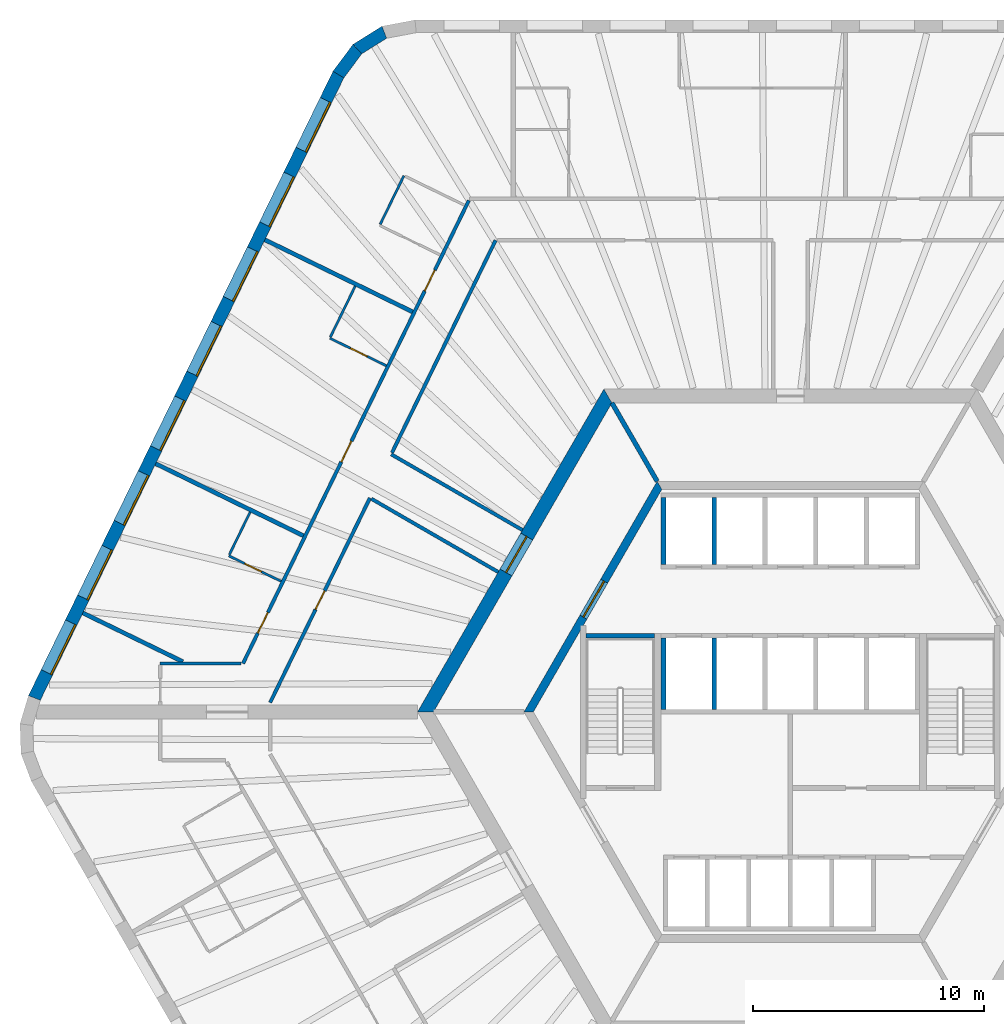
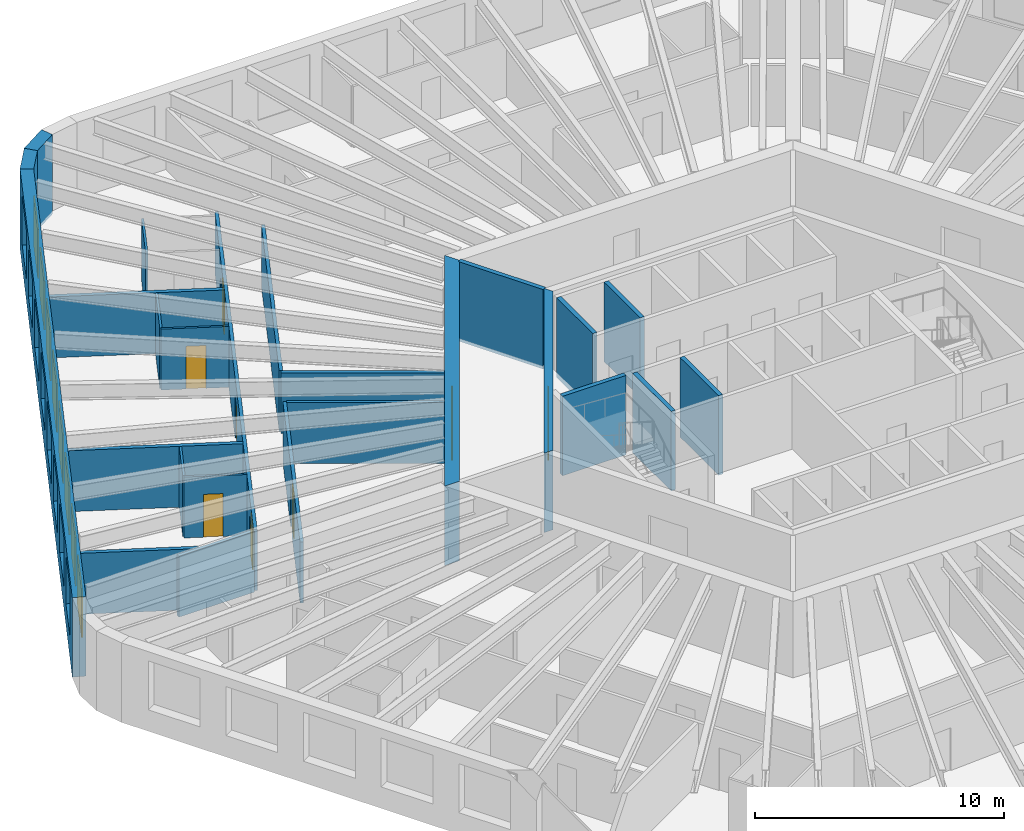
# One storey, part 7 of 11: 25 walls, 8 doors, 8 windows, 16 openings.
"""IFC4 building model written with IfcOpenShell, lengths in metres."""

from ifc_helpers import new_model, si_unit, direction, frame, frame_2d, origin, place, context, subcontext, project, spatial, polyline, rectangle, outline, extrude, material, layer, layer_set, type_object, element, fill, save


model = new_model("IFC4")

# Units and contexts
model_context = context("Model", 3, precision=1e-05, world=origin(), true_north=direction((0.0, 1.0)))
body_context = subcontext(model_context, "Body", "Model", "MODEL_VIEW")
ifc_project = project(units=[si_unit("LENGTHUNIT", "METRE"), si_unit("AREAUNIT", "SQUARE_METRE"), si_unit("VOLUMEUNIT", "CUBIC_METRE"), si_unit("PLANEANGLEUNIT", "RADIAN"), si_unit("MASSUNIT", "GRAM", prefix="KILO")], contexts=[model_context])

# Site, building, storey
site_placement = place(None, origin())
site = spatial("IfcSite", under=ifc_project, at=site_placement, CompositionType="ELEMENT")
building_placement = place(site_placement, origin())
building = spatial("IfcBuilding", under=site, at=building_placement, Name="Tarnside Tower", CompositionType="ELEMENT")
storey_placement = place(building_placement, frame((0.0, 0.0, 103.800048828125)))
storey = spatial("IfcBuildingStorey", under=building, at=storey_placement, Name="L23", CompositionType="ELEMENT", Elevation=103.800048828125)

# Wall
ifc_material_1 = material(Name="Gypsum board partition on steel studs", Category="steel")
ifc_layer_1 = layer(ifc_material_1, 0.10009765625)
ifc_layer_set_1 = layer_set([ifc_layer_1], Name="Bathroom wall 100")
wall_type_1 = type_object("IfcWallType", Name="Bathroom wall 100", PredefinedType="PARTITIONING", material=ifc_layer_set_1)
wall_1_placement = place(storey_placement, frame((-17.783203125, 21.138427734375, 0.0), z_axis=(0.0, 0.0, 1.0), x_axis=(0.438339704034, 0.898809381275, 0.0)))
element("IfcWall", 1, at=wall_1_placement, inside=storey, type_object=wall_type_1, Name="Bathroom wall 07091", PredefinedType="PARTITIONING", context=body_context, shape_type="SweptSolid", body=[
    extrude(rectangle(XDim=2.349853515625, YDim=0.10009765625, at=frame_2d((1.1748046875, 0.0))), origin(), (0.0, 0.0, 1.0), 2.98779296875),
])

# Wall, opening, door
wall_2_placement = place(storey_placement, frame((-17.51806640625, 15.009521484375, 0.0), z_axis=(0.0, 0.0, 1.0), x_axis=(-0.898791692788, 0.43837597217, 0.0)))
wall_2 = element("IfcWall", 2, at=wall_2_placement, inside=storey, type_object=wall_type_1, Name="Bathroom wall 07095", PredefinedType="PARTITIONING", context=body_context, shape_type="SweptSolid", body=[
    extrude(rectangle(XDim=2.72509765625, YDim=0.10009765625, at=frame_2d((1.362548828125, 0.0))), origin(), (0.0, 0.0, 1.0), 2.98779296875),
])
opening_1_placement = place(wall_2_placement, frame((0.925048828125, 0.0, 0.0)))
opening_1 = element("IfcOpeningElement", 3, at=opening_1_placement, cuts=wall_2, Name="Opening D-B1", PredefinedType="OPENING", context=body_context, shape_type="SweptSolid", body=[
    extrude(rectangle(XDim=0.800048828125, YDim=2.10009765625, at=frame_2d((0.39990234375, 1.050048828125))), frame((0.0, 0.06005859375, 0.0), z_axis=(0.0, -1.0, 0.0), x_axis=(1.0, 0.0, 0.0)), (0.0, 0.0, 1.0), 0.1201171875),
])
ifc_material_2 = material(Name="Timber door leaf", Category="wood")
door_type_1 = type_object("IfcDoorType", Name="Bathroom door 800", OperationType="NOTDEFINED", PredefinedType="DOOR", material=ifc_material_2)
door_1_placement = place(opening_1_placement, origin())
door_1 = element("IfcDoor", 4, at=door_1_placement, inside=storey, type_object=door_type_1, Name="Bathroom door 07010", OperationType="SINGLE_SWING_RIGHT", OverallHeight=2.10009765625, OverallWidth=0.800048828125, PredefinedType="DOOR", context=body_context, shape_type="SweptSolid", body=[
    extrude(rectangle(XDim=0.800048828125, YDim=2.10009765625, at=frame_2d((0.39990234375, 1.050048828125))), frame((0.0, 0.02490234375, 0.0), z_axis=(0.0, -1.0, 0.0), x_axis=(1.0, 0.0, 0.0)), (0.0, 0.0, 1.0), 0.050048828125),
])
fill(opening_1, door_1)

# Wall
wall_3_placement = place(storey_placement, frame((-19.945556640625, 16.2490234375, 0.0), z_axis=(0.0, 0.0, 1.0), x_axis=(0.438419721753, 0.898770353082, 0.0)))
element("IfcWall", 5, at=wall_3_placement, inside=storey, type_object=wall_type_1, Name="Bathroom wall 07096", PredefinedType="PARTITIONING", context=body_context, shape_type="SweptSolid", body=[
    extrude(rectangle(XDim=2.460205078125, YDim=0.10009765625, at=frame_2d((1.22998046875, 0.0))), origin(), (0.0, 0.0, 1.0), 2.98779296875),
])

# Wall, opening, door
wall_4_placement = place(storey_placement, frame((-22.0771484375, 5.662109375, 0.0), z_axis=(0.0, 0.0, 1.0), x_axis=(-0.898792604152, 0.438374103617, 0.0)))
wall_4 = element("IfcWall", 6, at=wall_4_placement, inside=storey, type_object=wall_type_1, Name="Bathroom wall 07099", PredefinedType="PARTITIONING", context=body_context, shape_type="SweptSolid", body=[
    extrude(rectangle(XDim=2.525146484375, YDim=0.10009765625, at=frame_2d((1.2626953125, 0.0))), origin(), (0.0, 0.0, 1.0), 2.98779296875),
])
opening_2_placement = place(wall_4_placement, frame((0.955078125, 0.0, 0.0)))
opening_2 = element("IfcOpeningElement", 7, at=opening_2_placement, cuts=wall_4, Name="Opening D-B1", PredefinedType="OPENING", context=body_context, shape_type="SweptSolid", body=[
    extrude(rectangle(XDim=0.800048828125, YDim=2.10009765625, at=frame_2d((0.39990234375, 1.050048828125))), frame((0.0, 0.06005859375, 0.0), z_axis=(0.0, -1.0, 0.0), x_axis=(1.0, 0.0, 0.0)), (0.0, 0.0, 1.0), 0.1201171875),
])
door_2_placement = place(opening_2_placement, origin())
door_2 = element("IfcDoor", 8, at=door_2_placement, inside=storey, type_object=door_type_1, Name="Bathroom door 07012", OperationType="SINGLE_SWING_LEFT", OverallHeight=2.10009765625, OverallWidth=0.800048828125, PredefinedType="DOOR", context=body_context, shape_type="SweptSolid", body=[
    extrude(rectangle(XDim=0.800048828125, YDim=2.10009765625, at=frame_2d((0.39990234375, 1.050048828125))), frame((0.0, 0.02490234375, 0.0), z_axis=(0.0, -1.0, 0.0), x_axis=(1.0, 0.0, 0.0)), (0.0, 0.0, 1.0), 0.050048828125),
])
fill(opening_2, door_2)

# Wall
wall_5_placement = place(storey_placement, frame((-24.32470703125, 6.81396484375, 0.0), z_axis=(0.0, 0.0, 1.0), x_axis=(0.438374597956, 0.898792363044, 0.0)))
element("IfcWall", 9, at=wall_5_placement, inside=storey, type_object=wall_type_1, Name="Bathroom wall 07100", PredefinedType="PARTITIONING", context=body_context, shape_type="SweptSolid", body=[
    extrude(rectangle(XDim=2.06005859375, YDim=0.10009765625, at=frame_2d((1.030029296875, 0.0))), origin(), (0.0, 0.0, 1.0), 2.98779296875),
])

# Wall, opening, door
ifc_material_3 = material(Name="Concrete C50/60", Category="concrete")
ifc_layer_2 = layer(ifc_material_3, 0.35009765625)
ifc_layer_set_2 = layer_set([ifc_layer_2], Name="Core block wall 350 C50/60")
wall_type_2 = type_object("IfcWallType", Name="Core block wall 350 C50/60", PredefinedType="SHEAR", material=ifc_layer_set_2)
wall_6_placement = place(storey_placement, frame((-5.672607421875, 9.824951171875, -0.150146484375), z_axis=(0.0, 0.0, 1.0), x_axis=(-0.499995046907, -0.866028263435, 0.0)))
wall_6 = element("IfcWall", 10, at=wall_6_placement, inside=storey, type_object=wall_type_2, Name="L23 core block wall face 2", PredefinedType="SHEAR", context=body_context, shape_type="SweptSolid", body=[
    extrude(outline(polyline([(-0.10107421875, -0.175048828125), (11.44580078125, -0.175048828125), (11.24365234375, 0.175048828125), (0.10107421875, 0.175048828125), (-0.10107421875, -0.175048828125)])), origin(), (0.0, 0.0, 1.0), 3.900146484375),
])
opening_3_placement = place(wall_6_placement, frame((4.80126953125, 0.0, 0.14990234375)))
opening_3 = element("IfcOpeningElement", 11, at=opening_3_placement, cuts=wall_6, Name="Opening CD-LOB", PredefinedType="OPENING", context=body_context, shape_type="SweptSolid", body=[
    extrude(rectangle(XDim=1.800048828125, YDim=2.39990234375, at=frame_2d((0.89990234375, 1.199951171875))), frame((0.0, 0.18505859375, 0.0), z_axis=(0.0, -1.0, 0.0), x_axis=(1.0, 0.0, 0.0)), (0.0, 0.0, 1.0), 0.3701171875),
])
ifc_material_4 = material(Name="Steel fire door", Category="steel")
door_type_2 = type_object("IfcDoorType", Name="Lobby double door FD30S 1800x2400", OperationType="NOTDEFINED", PredefinedType="DOOR", material=ifc_material_4)
door_3_placement = place(opening_3_placement, origin())
door_3 = element("IfcDoor", 12, at=door_3_placement, inside=storey, type_object=door_type_2, Name="L23 lobby block door P1", OperationType="DOUBLE_DOOR_SINGLE_SWING", OverallHeight=2.39990234375, OverallWidth=1.800048828125, PredefinedType="DOOR", context=body_context, shape_type="SweptSolid", body=[
    extrude(rectangle(XDim=1.800048828125, YDim=2.39990234375, at=frame_2d((0.89990234375, 1.199951171875))), frame((0.0, 0.02490234375, 0.0), z_axis=(0.0, -1.0, 0.0), x_axis=(1.0, 0.0, 0.0)), (0.0, 0.0, 1.0), 0.050048828125),
])
fill(opening_3, door_3)

ifc_material_5 = material(Name="Concrete C80/95", Category="concrete")
ifc_layer_3 = layer(ifc_material_5, 0.60009765625)
ifc_layer_set_3 = layer_set([ifc_layer_3], Name="Core wall Z1 600 C80/95")
wall_type_3 = type_object("IfcWallType", Name="Core wall Z1 600 C80/95", PredefinedType="SHEAR", material=ifc_layer_set_3)
wall_7_placement = place(storey_placement, frame((-7.90966796875, 13.699951171875, -0.150146484375), z_axis=(0.0, 0.0, 1.0), x_axis=(-0.499999880136, -0.866025472988, 0.0)))
wall_7 = element("IfcWall", 13, at=wall_7_placement, inside=storey, type_object=wall_type_3, Name="L23 core wall face 2", PredefinedType="SHEAR", context=body_context, shape_type="SweptSolid", body=[
    extrude(outline(polyline([(-0.17333984375, -0.300048828125), (15.99267578125, -0.300048828125), (15.64599609375, 0.300048828125), (0.17333984375, 0.300048828125), (-0.17333984375, -0.300048828125)])), origin(), (0.0, 0.0, 1.0), 3.900146484375),
])
opening_4_placement = place(wall_7_placement, frame((7.03857421875, 0.0, 0.14990234375)))
opening_4 = element("IfcOpeningElement", 14, at=opening_4_placement, cuts=wall_7, Name="Opening CD-LOB", PredefinedType="OPENING", context=body_context, shape_type="SweptSolid", body=[
    extrude(rectangle(XDim=1.800048828125, YDim=2.39990234375, at=frame_2d((0.89990234375, 1.199951171875))), frame((0.0, 0.31005859375, 0.0), z_axis=(0.0, -1.0, 0.0), x_axis=(1.0, 0.0, 0.0)), (0.0, 0.0, 1.0), 0.6201171875),
])
door_4_placement = place(opening_4_placement, origin())
door_4 = element("IfcDoor", 15, at=door_4_placement, inside=storey, type_object=door_type_2, Name="L23 core door P1", OperationType="DOUBLE_DOOR_SINGLE_SWING", OverallHeight=2.39990234375, OverallWidth=1.800048828125, PredefinedType="DOOR", context=body_context, shape_type="SweptSolid", body=[
    extrude(rectangle(XDim=1.800048828125, YDim=2.39990234375, at=frame_2d((0.89990234375, 1.199951171875))), frame((0.0, 0.02490234375, 0.0), z_axis=(0.0, -1.0, 0.0), x_axis=(1.0, 0.0, 0.0)), (0.0, 0.0, 1.0), 0.050048828125),
])
fill(opening_4, door_4)

# Wall, openings, doors
ifc_layer_4 = layer(ifc_material_1, 0.14990234375)
ifc_layer_set_4 = layer_set([ifc_layer_4], Name="Corridor wall 150 EI 60")
wall_type_4 = type_object("IfcWallType", Name="Corridor wall 150 EI 60", PredefinedType="PARTITIONING", material=ifc_layer_set_4)
wall_8_placement = place(storey_placement, frame((-13.93994140625, 22.175048828125, 0.0), z_axis=(0.0, 0.0, 1.0), x_axis=(-0.438373022655, -0.898793131376, 0.0)))
wall_8 = element("IfcWall", 16, at=wall_8_placement, inside=storey, type_object=wall_type_4, Name="Corridor wall 07007", PredefinedType="PARTITIONING", context=body_context, shape_type="SweptSolid", body=[
    extrude(rectangle(XDim=22.33544921875, YDim=0.14990234375, at=frame_2d((11.167724609375, 0.0))), origin(), (0.0, 0.0, 1.0), 2.98779296875),
])
opening_5_placement = place(wall_8_placement, frame((3.36279296875, 0.0, 0.0)))
opening_5 = element("IfcOpeningElement", 17, at=opening_5_placement, cuts=wall_8, Name="Opening D-E1", PredefinedType="OPENING", context=body_context, shape_type="SweptSolid", body=[
    extrude(rectangle(XDim=1.0, YDim=2.10009765625, at=frame_2d((0.5, 1.050048828125))), frame((0.0, 0.0849609375, 0.0), z_axis=(0.0, -1.0, 0.0), x_axis=(1.0, 0.0, 0.0)), (0.0, 0.0, 1.0), 0.169921875),
])
opening_6_placement = place(wall_8_placement, frame((11.60888671875, 0.0, 0.0)))
opening_6 = element("IfcOpeningElement", 18, at=opening_6_placement, cuts=wall_8, Name="Opening D-E1", PredefinedType="OPENING", context=body_context, shape_type="SweptSolid", body=[
    extrude(rectangle(XDim=1.0, YDim=2.10009765625, at=frame_2d((0.5, 1.050048828125))), frame((0.0, 0.0849609375, 0.0), z_axis=(0.0, -1.0, 0.0), x_axis=(1.0, 0.0, 0.0)), (0.0, 0.0, 1.0), 0.169921875),
])
opening_7_placement = place(wall_8_placement, frame((19.8720703125, 0.0, 0.0)))
opening_7 = element("IfcOpeningElement", 19, at=opening_7_placement, cuts=wall_8, Name="Opening D-E1", PredefinedType="OPENING", context=body_context, shape_type="SweptSolid", body=[
    extrude(rectangle(XDim=1.0, YDim=2.10009765625, at=frame_2d((0.5, 1.050048828125))), frame((0.0, 0.0849609375, 0.0), z_axis=(0.0, -1.0, 0.0), x_axis=(1.0, 0.0, 0.0)), (0.0, 0.0, 1.0), 0.169921875),
])
door_type_3 = type_object("IfcDoorType", Name="Unit entrance door 1000 FD30S", OperationType="NOTDEFINED", PredefinedType="DOOR", material=ifc_material_2)
door_5_placement = place(opening_5_placement, origin())
door_5 = element("IfcDoor", 20, at=door_5_placement, inside=storey, type_object=door_type_3, Name="Unit door 07007", OperationType="SINGLE_SWING_LEFT", OverallHeight=2.10009765625, OverallWidth=1.0, PredefinedType="DOOR", context=body_context, shape_type="SweptSolid", body=[
    extrude(rectangle(XDim=1.0, YDim=2.10009765625, at=frame_2d((0.5, 1.050048828125))), frame((0.0, 0.02490234375, 0.0), z_axis=(0.0, -1.0, 0.0), x_axis=(1.0, 0.0, 0.0)), (0.0, 0.0, 1.0), 0.050048828125),
])
fill(opening_5, door_5)
door_6_placement = place(opening_6_placement, origin())
door_6 = element("IfcDoor", 21, at=door_6_placement, inside=storey, type_object=door_type_3, Name="Unit door 07009", OperationType="SINGLE_SWING_LEFT", OverallHeight=2.10009765625, OverallWidth=1.0, PredefinedType="DOOR", context=body_context, shape_type="SweptSolid", body=[
    extrude(rectangle(XDim=1.0, YDim=2.10009765625, at=frame_2d((0.5, 1.050048828125))), frame((0.0, 0.02490234375, 0.0), z_axis=(0.0, -1.0, 0.0), x_axis=(1.0, 0.0, 0.0)), (0.0, 0.0, 1.0), 0.050048828125),
])
fill(opening_6, door_6)
door_7_placement = place(opening_7_placement, origin())
door_7 = element("IfcDoor", 22, at=door_7_placement, inside=storey, type_object=door_type_3, Name="Unit door 07011", OperationType="SINGLE_SWING_RIGHT", OverallHeight=2.10009765625, OverallWidth=1.0, PredefinedType="DOOR", context=body_context, shape_type="SweptSolid", body=[
    extrude(rectangle(XDim=1.0, YDim=2.10009765625, at=frame_2d((0.5, 1.050048828125))), frame((0.0, 0.02490234375, 0.0), z_axis=(0.0, -1.0, 0.0), x_axis=(1.0, 0.0, 0.0)), (0.0, 0.0, 1.0), 0.050048828125),
])
fill(opening_7, door_7)

# Walls
wall_9_placement = place(storey_placement, frame((-23.814697265625, 2.10009765625, 0.0), z_axis=(0.0, 0.0, 1.0), x_axis=(-1.0, 0.0, 0.0)))
element("IfcWall", 23, at=wall_9_placement, inside=storey, type_object=wall_type_4, Name="Corridor wall 07014", PredefinedType="PARTITIONING", context=body_context, shape_type="SweptSolid", body=[
    extrude(rectangle(XDim=3.505615234375, YDim=0.14990234375, at=frame_2d((1.7529296875, 0.0))), origin(), (0.0, 0.0, 1.0), 2.98779296875),
])
wall_10_placement = place(storey_placement, frame((-11.61376953125, 7.88427734375, 0.0), z_axis=(0.0, 0.0, 1.0), x_axis=(-0.866025963225, 0.49999903102, 0.0)))
element("IfcWall", 24, at=wall_10_placement, inside=storey, type_object=wall_type_4, Name="Corridor wall 07018", PredefinedType="PARTITIONING", context=body_context, shape_type="SweptSolid", body=[
    extrude(rectangle(XDim=6.5712890625, YDim=0.14990234375, at=frame_2d((3.28564453125, 0.0))), origin(), (0.0, 0.0, 1.0), 2.98779296875),
])
wall_11_placement = place(storey_placement, frame((-17.271728515625, 11.237548828125, 0.0), z_axis=(0.0, 0.0, 1.0), x_axis=(0.438369193793, 0.898794998836, 0.0)))
element("IfcWall", 25, at=wall_11_placement, inside=storey, type_object=wall_type_4, Name="Corridor wall 07019", PredefinedType="PARTITIONING", context=body_context, shape_type="SweptSolid", body=[
    extrude(rectangle(XDim=10.249755859375, YDim=0.14990234375, at=frame_2d((5.125, 0.0))), origin(), (0.0, 0.0, 1.0), 2.98779296875),
])

# Wall, opening, door
wall_12_placement = place(storey_placement, frame((-22.552734375, 0.41015625, 0.0), z_axis=(0.0, 0.0, 1.0), x_axis=(0.438382679221, 0.898788421465, 0.0)))
wall_12 = element("IfcWall", 26, at=wall_12_placement, inside=storey, type_object=wall_type_4, Name="Corridor wall 07025", PredefinedType="PARTITIONING", context=body_context, shape_type="SweptSolid", body=[
    extrude(rectangle(XDim=9.8662109375, YDim=0.14990234375, at=frame_2d((4.93310546875, 0.0))), origin(), (0.0, 0.0, 1.0), 2.98779296875),
])
opening_8_placement = place(wall_12_placement, frame((4.483154296875, 0.0, 0.0)))
opening_8 = element("IfcOpeningElement", 27, at=opening_8_placement, cuts=wall_12, Name="Opening D-S1", PredefinedType="OPENING", context=body_context, shape_type="SweptSolid", body=[
    extrude(rectangle(XDim=0.89990234375, YDim=2.10009765625, at=frame_2d((0.449951171875, 1.050048828125))), frame((0.0, 0.0849609375, 0.0), z_axis=(0.0, -1.0, 0.0), x_axis=(1.0, 0.0, 0.0)), (0.0, 0.0, 1.0), 0.169921875),
])
door_type_4 = type_object("IfcDoorType", Name="Service room door 900 FD30S", OperationType="NOTDEFINED", PredefinedType="DOOR", material=ifc_material_2)
door_8_placement = place(opening_8_placement, origin())
door_8 = element("IfcDoor", 28, at=door_8_placement, inside=storey, type_object=door_type_4, Name="Service door 07044", OperationType="SINGLE_SWING_RIGHT", OverallHeight=2.10009765625, OverallWidth=0.89990234375, PredefinedType="DOOR", context=body_context, shape_type="SweptSolid", body=[
    extrude(rectangle(XDim=0.89990234375, YDim=2.10009765625, at=frame_2d((0.449951171875, 1.050048828125))), frame((0.0, 0.02490234375, 0.0), z_axis=(0.0, -1.0, 0.0), x_axis=(1.0, 0.0, 0.0)), (0.0, 0.0, 1.0), 0.050048828125),
])
fill(opening_8, door_8)

# Walls
wall_13_placement = place(storey_placement, frame((-18.162353515625, 9.240234375, 0.0), z_axis=(0.0, 0.0, 1.0), x_axis=(0.866026781814, -0.499997613175, 0.0)))
element("IfcWall", 29, at=wall_13_placement, inside=storey, type_object=wall_type_4, Name="Corridor wall 07026", PredefinedType="PARTITIONING", context=body_context, shape_type="SweptSolid", body=[
    extrude(rectangle(XDim=6.34912109375, YDim=0.14990234375, at=frame_2d((3.174560546875, 0.0))), origin(), (0.0, 0.0, 1.0), 2.98779296875),
])
ifc_layer_5 = layer(ifc_material_1, 0.179931640625)
ifc_layer_set_5 = layer_set([ifc_layer_5], Name="Demising wall 180 EI 60")
wall_type_5 = type_object("IfcWallType", Name="Demising wall 180 EI 60", PredefinedType="PARTITIONING", material=ifc_layer_set_5)
for number, where, z_axis, x_axis, name in (
    (30, (-22.7822265625, 20.469970703125, 0.0), (0.0, 0.0, 1.0), (0.898783593711, -0.438392577123, 0.0), "Demising wall 07093"),
    (31, (-27.5166015625, 10.762939453125, 0.0), (0.0, 0.0, 1.0), (0.898783593711, -0.438392577123, 0.0), "Demising wall 07097"),
):
    element("IfcWall", number, at=place(storey_placement, frame(where, z_axis=z_axis, x_axis=x_axis)), inside=storey, type_object=wall_type_5, Name=name, PredefinedType="PARTITIONING", context=body_context, shape_type="SweptSolid", body=[
        extrude(rectangle(XDim=7.125, YDim=0.179931640625, at=frame_2d((3.5625, 0.0))), origin(), (0.0, 0.0, 1.0), 2.98779296875),
    ])
wall_14_placement = place(storey_placement, frame((-30.673095703125, 4.29150390625, 0.0), z_axis=(0.0, 0.0, 1.0), x_axis=(0.898812662672, -0.438332975512, 0.0)))
element("IfcWall", 32, at=wall_14_placement, inside=storey, type_object=wall_type_5, Name="Demising wall 07101", PredefinedType="PARTITIONING", context=body_context, shape_type="SweptSolid", body=[
    extrude(rectangle(XDim=4.828369140625, YDim=0.179931640625, at=frame_2d((2.4140625, 0.0))), origin(), (0.0, 0.0, 1.0), 2.98779296875),
])
ifc_material_6 = material(Name="Concrete C40/50", Category="concrete")
ifc_layer_6 = layer(ifc_material_6, 0.199951171875)
ifc_layer_set_6 = layer_set([ifc_layer_6], Name="Lift shaft wall 200 C40/50")
wall_type_6 = type_object("IfcWallType", Name="Lift shaft wall 200 C40/50", PredefinedType="SHEAR", material=ifc_layer_set_6)
for number, where, z_axis, x_axis, name in (
    (33, (-5.5, 6.39990234375, -0.25), (0.0, 0.0, 1.0), (0.0, 1.0, 0.0), "L23 lift shaft partition R11"),
    (34, (-3.300048828125, 6.39990234375, -0.25), (0.0, 0.0, 1.0), (0.0, 1.0, 0.0), "L23 lift shaft partition R12"),
):
    element("IfcWall", number, at=place(storey_placement, frame(where, z_axis=z_axis, x_axis=x_axis)), inside=storey, type_object=wall_type_6, Name=name, PredefinedType="SHEAR", context=body_context, shape_type="SweptSolid", body=[
        extrude(rectangle(XDim=2.900146484375, YDim=0.199951171875, at=frame_2d((1.4501953125, 0.0))), origin(), (0.0, 0.0, 1.0), 3.89990234375),
    ])
for number, where, z_axis, x_axis, name in (
    (35, (-5.5, 0.10009765625, -0.25), (0.0, 0.0, 1.0), (0.0, 1.0, 0.0), "L23 lift shaft partition R21"),
    (36, (-3.300048828125, 0.10009765625, -0.25), (0.0, 0.0, 1.0), (0.0, 1.0, 0.0), "L23 lift shaft partition R22"),
):
    element("IfcWall", number, at=place(storey_placement, frame(where, z_axis=z_axis, x_axis=x_axis)), inside=storey, type_object=wall_type_6, Name=name, PredefinedType="SHEAR", context=body_context, shape_type="SweptSolid", body=[
        extrude(rectangle(XDim=3.099853515625, YDim=0.199951171875, at=frame_2d((1.5498046875, 0.0))), origin(), (0.0, 0.0, 1.0), 3.89990234375),
    ])
wall_15_placement = place(storey_placement, frame((-5.7734375, 10.0, -0.150146484375), z_axis=(0.0, 0.0, 1.0), x_axis=(-0.500038251005, 0.86600331843, 0.0)))
element("IfcWall", 37, at=wall_15_placement, inside=storey, type_object=wall_type_6, Name="L23 core partition AR120", PredefinedType="SHEAR", context=body_context, shape_type="SweptSolid", body=[
    extrude(rectangle(XDim=3.926025390625, YDim=0.199951171875, at=frame_2d((1.962890625, 0.0))), origin(), (0.0, 0.0, 1.0), 3.900146484375),
])
wall_16_placement = place(storey_placement, frame((-8.85009765625, 3.300048828125, -0.25), z_axis=(0.0, 0.0, 1.0), x_axis=(1.0, 0.0, 0.0)))
element("IfcWall", 38, at=wall_16_placement, inside=storey, type_object=wall_type_6, Name="L23 stair 2 enclosure cap wall n", PredefinedType="SHEAR", context=body_context, shape_type="SweptSolid", body=[
    extrude(rectangle(XDim=2.9501953125, YDim=0.199951171875, at=frame_2d((1.47509765625, 0.0))), origin(), (0.0, 0.0, 1.0), 3.89990234375),
])
ifc_material_7 = material(Name="Facing brick", Category="masonry")
ifc_layer_7 = layer(ifc_material_7, 0.10205078125)
ifc_material_8 = material(Name="Concrete C60/75 precast", Category="concrete")
ifc_layer_8 = layer(ifc_material_8, 0.347900390625)
ifc_material_9 = material(Name="Mineral wool insulation")
ifc_layer_9 = layer(ifc_material_9, 0.10009765625)
ifc_layer_set_7 = layer_set([ifc_layer_7, ifc_layer_8, ifc_layer_9], Name="Tube wall 550 brick faced")
wall_type_7 = type_object("IfcWallType", Name="Tube wall 550 brick faced", PredefinedType="SOLIDWALL", material=ifc_layer_set_7)
wall_17_placement = place(storey_placement, frame((-17.601806640625, 29.4697265625, -0.150146484375), z_axis=(0.0, 0.0, 1.0), x_axis=(-0.848057977594, -0.5299034503, 0.0)))
element("IfcWall", 39, at=wall_17_placement, inside=storey, type_object=wall_type_7, Name="Tube wall L23 F1 chord 02", PredefinedType="SOLIDWALL", context=body_context, shape_type="SweptSolid", body=[
    extrude(outline(polyline([(-0.0517578125, -0.27490234375), (1.4306640625, -0.27490234375), (1.3271484375, 0.27490234375), (0.0517578125, 0.27490234375), (-0.0517578125, -0.27490234375)])), origin(), (0.0, 0.0, 1.0), 3.900146484375),
])
wall_18_placement = place(storey_placement, frame((-18.771240234375, 28.739013671875, -0.150146484375), z_axis=(0.0, 0.0, 1.0), x_axis=(-0.597135295884, -0.802140535324, 0.0)))
element("IfcWall", 40, at=wall_18_placement, inside=storey, type_object=wall_type_7, Name="Tube wall L23 F1 chord 03", PredefinedType="SOLIDWALL", context=body_context, shape_type="SweptSolid", body=[
    extrude(outline(polyline([(-0.0517578125, -0.27490234375), (1.40478515625, -0.27490234375), (1.353515625, 0.27490234375), (0.0517578125, 0.27490234375), (-0.0517578125, -0.27490234375)])), origin(), (0.0, 0.0, 1.0), 3.900146484375),
])

# Wall, openings, windows
wall_19_placement = place(storey_placement, frame((-19.5947265625, 27.6328125, -0.150146484375), z_axis=(0.0, 0.0, 1.0), x_axis=(-0.438368285794, -0.898795441694, 0.0)))
wall_19 = element("IfcWall", 41, at=wall_19_placement, inside=storey, type_object=wall_type_7, Name="Tube wall L23 F2 flush 04", PredefinedType="SOLIDWALL", context=body_context, shape_type="SweptSolid", body=[
    extrude(outline(polyline([(-0.025634765625, -0.27490234375), (30.09326171875, -0.27490234375), (30.04833984375, 0.27490234375), (0.025634765625, 0.27490234375), (-0.025634765625, -0.27490234375)])), origin(), (0.0, 0.0, 1.0), 3.900146484375),
])
opening_9_placement = place(wall_19_placement, frame((1.235595703125, 0.0, 1.050048828125)))
opening_9 = element("IfcOpeningElement", 42, at=opening_9_placement, cuts=wall_19, Name="Opening WH", PredefinedType="OPENING", context=body_context, shape_type="SweptSolid", body=[
    extrude(rectangle(XDim=2.39990234375, YDim=2.39990234375, at=frame_2d((1.199951171875, 1.199951171875))), frame((0.0, 0.28515625, 0.0), z_axis=(0.0, -1.0, 0.0), x_axis=(1.0, 0.0, 0.0)), (0.0, 0.0, 1.0), 0.570068359375),
])
opening_10_placement = place(wall_19_placement, frame((4.83544921875, 0.0, 1.050048828125)))
opening_10 = element("IfcOpeningElement", 43, at=opening_10_placement, cuts=wall_19, Name="Opening WH", PredefinedType="OPENING", context=body_context, shape_type="SweptSolid", body=[
    extrude(rectangle(XDim=2.39990234375, YDim=2.39990234375, at=frame_2d((1.199951171875, 1.199951171875))), frame((0.0, 0.28515625, 0.0), z_axis=(0.0, -1.0, 0.0), x_axis=(1.0, 0.0, 0.0)), (0.0, 0.0, 1.0), 0.570068359375),
])
opening_11_placement = place(wall_19_placement, frame((8.435546875, 0.0, 1.050048828125)))
opening_11 = element("IfcOpeningElement", 44, at=opening_11_placement, cuts=wall_19, Name="Opening WH", PredefinedType="OPENING", context=body_context, shape_type="SweptSolid", body=[
    extrude(rectangle(XDim=2.39990234375, YDim=2.39990234375, at=frame_2d((1.199951171875, 1.199951171875))), frame((0.0, 0.28515625, 0.0), z_axis=(0.0, -1.0, 0.0), x_axis=(1.0, 0.0, 0.0)), (0.0, 0.0, 1.0), 0.570068359375),
])
opening_12_placement = place(wall_19_placement, frame((12.035400390625, 0.0, 1.050048828125)))
opening_12 = element("IfcOpeningElement", 45, at=opening_12_placement, cuts=wall_19, Name="Opening WH", PredefinedType="OPENING", context=body_context, shape_type="SweptSolid", body=[
    extrude(rectangle(XDim=2.39990234375, YDim=2.39990234375, at=frame_2d((1.199951171875, 1.199951171875))), frame((0.0, 0.28515625, 0.0), z_axis=(0.0, -1.0, 0.0), x_axis=(1.0, 0.0, 0.0)), (0.0, 0.0, 1.0), 0.570068359375),
])
opening_13_placement = place(wall_19_placement, frame((15.635498046875, 0.0, 1.050048828125)))
opening_13 = element("IfcOpeningElement", 46, at=opening_13_placement, cuts=wall_19, Name="Opening WH", PredefinedType="OPENING", context=body_context, shape_type="SweptSolid", body=[
    extrude(rectangle(XDim=2.39990234375, YDim=2.39990234375, at=frame_2d((1.199951171875, 1.199951171875))), frame((0.0, 0.28515625, 0.0), z_axis=(0.0, -1.0, 0.0), x_axis=(1.0, 0.0, 0.0)), (0.0, 0.0, 1.0), 0.570068359375),
])
opening_14_placement = place(wall_19_placement, frame((19.235595703125, 0.0, 1.050048828125)))
opening_14 = element("IfcOpeningElement", 47, at=opening_14_placement, cuts=wall_19, Name="Opening WH", PredefinedType="OPENING", context=body_context, shape_type="SweptSolid", body=[
    extrude(rectangle(XDim=2.39990234375, YDim=2.39990234375, at=frame_2d((1.199951171875, 1.199951171875))), frame((0.0, 0.28515625, 0.0), z_axis=(0.0, -1.0, 0.0), x_axis=(1.0, 0.0, 0.0)), (0.0, 0.0, 1.0), 0.570068359375),
])
opening_15_placement = place(wall_19_placement, frame((22.83544921875, 0.0, 1.050048828125)))
opening_15 = element("IfcOpeningElement", 48, at=opening_15_placement, cuts=wall_19, Name="Opening WH", PredefinedType="OPENING", context=body_context, shape_type="SweptSolid", body=[
    extrude(rectangle(XDim=2.39990234375, YDim=2.39990234375, at=frame_2d((1.199951171875, 1.199951171875))), frame((0.0, 0.28515625, 0.0), z_axis=(0.0, -1.0, 0.0), x_axis=(1.0, 0.0, 0.0)), (0.0, 0.0, 1.0), 0.570068359375),
])
opening_16_placement = place(wall_19_placement, frame((26.435546875, 0.0, 1.050048828125)))
opening_16 = element("IfcOpeningElement", 49, at=opening_16_placement, cuts=wall_19, Name="Opening WH", PredefinedType="OPENING", context=body_context, shape_type="SweptSolid", body=[
    extrude(rectangle(XDim=2.39990234375, YDim=2.39990234375, at=frame_2d((1.199951171875, 1.199951171875))), frame((0.0, 0.28515625, 0.0), z_axis=(0.0, -1.0, 0.0), x_axis=(1.0, 0.0, 0.0)), (0.0, 0.0, 1.0), 0.570068359375),
])
ifc_material_10 = material(Name="Aluminium-framed double glazing", Category="aluminium")
window_type = type_object("IfcWindowType", Name="Hotel window 2400 x 2400", PartitioningType="DOUBLE_PANEL_VERTICAL", PredefinedType="WINDOW", material=ifc_material_10)
window_1_placement = place(opening_9_placement, frame((0.0, 0.205078125, 0.0)))
window_1 = element("IfcWindow", 50, at=window_1_placement, inside=storey, type_object=window_type, Name="E.WN.L23.F2.00", OverallHeight=2.39990234375, OverallWidth=2.39990234375, PartitioningType="DOUBLE_PANEL_VERTICAL", PredefinedType="WINDOW", context=body_context, shape_type="SweptSolid", body=[
    extrude(rectangle(XDim=2.39990234375, YDim=2.39990234375, at=frame_2d((1.199951171875, 1.199951171875))), frame((0.0, 0.030029296875, 0.0), z_axis=(0.0, -1.0, 0.0), x_axis=(1.0, 0.0, 0.0)), (0.0, 0.0, 1.0), 0.06005859375),
])
fill(opening_9, window_1)
window_2_placement = place(opening_10_placement, frame((0.0, 0.205078125, 0.0)))
window_2 = element("IfcWindow", 51, at=window_2_placement, inside=storey, type_object=window_type, Name="E.WN.L23.F2.01", OverallHeight=2.39990234375, OverallWidth=2.39990234375, PartitioningType="DOUBLE_PANEL_VERTICAL", PredefinedType="WINDOW", context=body_context, shape_type="SweptSolid", body=[
    extrude(rectangle(XDim=2.39990234375, YDim=2.39990234375, at=frame_2d((1.199951171875, 1.199951171875))), frame((0.0, 0.030029296875, 0.0), z_axis=(0.0, -1.0, 0.0), x_axis=(1.0, 0.0, 0.0)), (0.0, 0.0, 1.0), 0.06005859375),
])
fill(opening_10, window_2)
window_3_placement = place(opening_11_placement, frame((0.0, 0.205078125, 0.0)))
window_3 = element("IfcWindow", 52, at=window_3_placement, inside=storey, type_object=window_type, Name="E.WN.L23.F2.02", OverallHeight=2.39990234375, OverallWidth=2.39990234375, PartitioningType="DOUBLE_PANEL_VERTICAL", PredefinedType="WINDOW", context=body_context, shape_type="SweptSolid", body=[
    extrude(rectangle(XDim=2.39990234375, YDim=2.39990234375, at=frame_2d((1.199951171875, 1.199951171875))), frame((0.0, 0.030029296875, 0.0), z_axis=(0.0, -1.0, 0.0), x_axis=(1.0, 0.0, 0.0)), (0.0, 0.0, 1.0), 0.06005859375),
])
fill(opening_11, window_3)
window_4_placement = place(opening_12_placement, frame((0.0, 0.205078125, 0.0)))
window_4 = element("IfcWindow", 53, at=window_4_placement, inside=storey, type_object=window_type, Name="E.WN.L23.F2.03", OverallHeight=2.39990234375, OverallWidth=2.39990234375, PartitioningType="DOUBLE_PANEL_VERTICAL", PredefinedType="WINDOW", context=body_context, shape_type="SweptSolid", body=[
    extrude(rectangle(XDim=2.39990234375, YDim=2.39990234375, at=frame_2d((1.199951171875, 1.199951171875))), frame((0.0, 0.030029296875, 0.0), z_axis=(0.0, -1.0, 0.0), x_axis=(1.0, 0.0, 0.0)), (0.0, 0.0, 1.0), 0.06005859375),
])
fill(opening_12, window_4)
window_5_placement = place(opening_13_placement, frame((0.0, 0.205078125, 0.0)))
window_5 = element("IfcWindow", 54, at=window_5_placement, inside=storey, type_object=window_type, Name="E.WN.L23.F2.04", OverallHeight=2.39990234375, OverallWidth=2.39990234375, PartitioningType="DOUBLE_PANEL_VERTICAL", PredefinedType="WINDOW", context=body_context, shape_type="SweptSolid", body=[
    extrude(rectangle(XDim=2.39990234375, YDim=2.39990234375, at=frame_2d((1.199951171875, 1.199951171875))), frame((0.0, 0.030029296875, 0.0), z_axis=(0.0, -1.0, 0.0), x_axis=(1.0, 0.0, 0.0)), (0.0, 0.0, 1.0), 0.06005859375),
])
fill(opening_13, window_5)
window_6_placement = place(opening_14_placement, frame((0.0, 0.205078125, 0.0)))
window_6 = element("IfcWindow", 55, at=window_6_placement, inside=storey, type_object=window_type, Name="E.WN.L23.F2.05", OverallHeight=2.39990234375, OverallWidth=2.39990234375, PartitioningType="DOUBLE_PANEL_VERTICAL", PredefinedType="WINDOW", context=body_context, shape_type="SweptSolid", body=[
    extrude(rectangle(XDim=2.39990234375, YDim=2.39990234375, at=frame_2d((1.199951171875, 1.199951171875))), frame((0.0, 0.030029296875, 0.0), z_axis=(0.0, -1.0, 0.0), x_axis=(1.0, 0.0, 0.0)), (0.0, 0.0, 1.0), 0.06005859375),
])
fill(opening_14, window_6)
window_7_placement = place(opening_15_placement, frame((0.0, 0.205078125, 0.0)))
window_7 = element("IfcWindow", 56, at=window_7_placement, inside=storey, type_object=window_type, Name="E.WN.L23.F2.06", OverallHeight=2.39990234375, OverallWidth=2.39990234375, PartitioningType="DOUBLE_PANEL_VERTICAL", PredefinedType="WINDOW", context=body_context, shape_type="SweptSolid", body=[
    extrude(rectangle(XDim=2.39990234375, YDim=2.39990234375, at=frame_2d((1.199951171875, 1.199951171875))), frame((0.0, 0.030029296875, 0.0), z_axis=(0.0, -1.0, 0.0), x_axis=(1.0, 0.0, 0.0)), (0.0, 0.0, 1.0), 0.06005859375),
])
fill(opening_15, window_7)
window_8_placement = place(opening_16_placement, frame((0.0, 0.205078125, 0.0)))
window_8 = element("IfcWindow", 57, at=window_8_placement, inside=storey, type_object=window_type, Name="E.WN.L23.F2.07", OverallHeight=2.39990234375, OverallWidth=2.39990234375, PartitioningType="DOUBLE_PANEL_VERTICAL", PredefinedType="WINDOW", context=body_context, shape_type="SweptSolid", body=[
    extrude(rectangle(XDim=2.39990234375, YDim=2.39990234375, at=frame_2d((1.199951171875, 1.199951171875))), frame((0.0, 0.030029296875, 0.0), z_axis=(0.0, -1.0, 0.0), x_axis=(1.0, 0.0, 0.0)), (0.0, 0.0, 1.0), 0.06005859375),
])
fill(opening_16, window_8)

save(model, "model.ifc")
